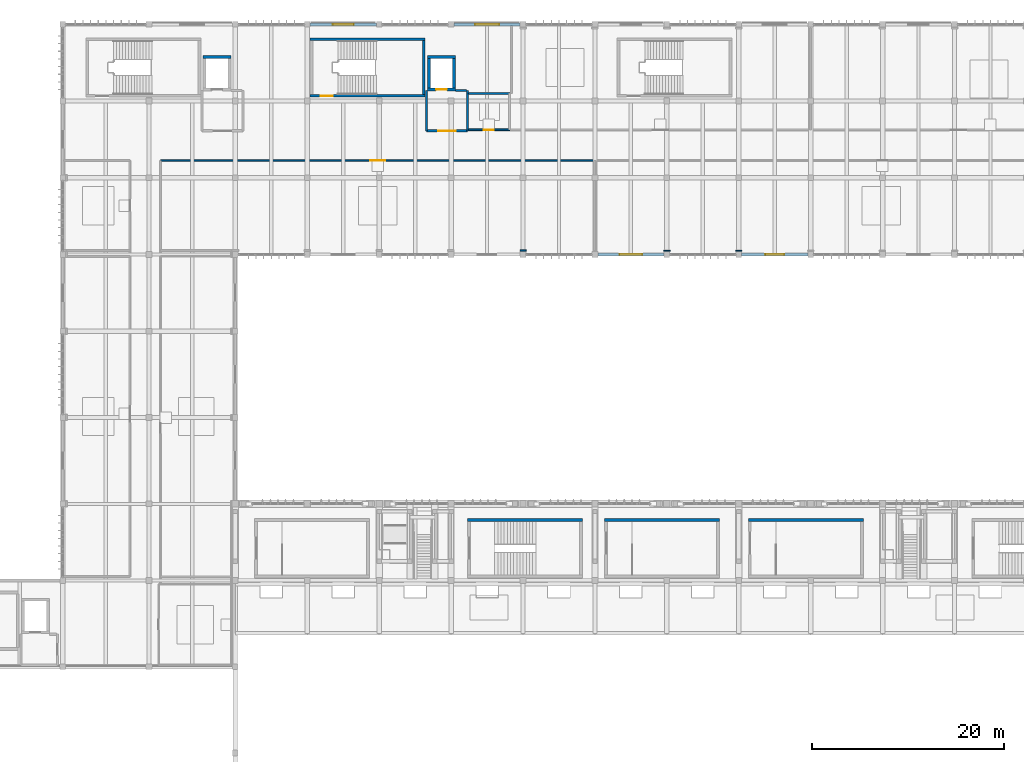
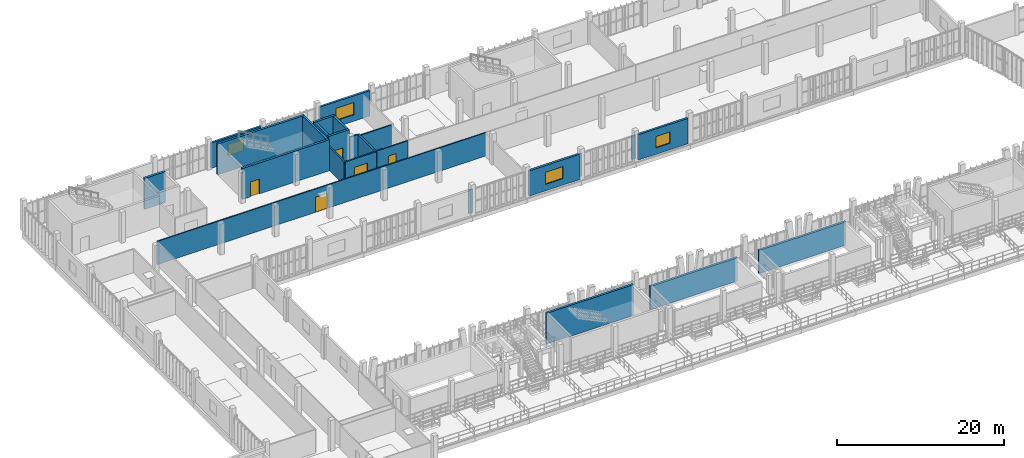
# One storey, part 56 of 81: 25 walls, 5 doors, 4 windows, 9 openings.
"""IFC4 building model written with IfcOpenShell, lengths in metres."""

from ifc_helpers import new_model, si_unit, direction, frame, frame_2d, origin, place, context, subcontext, project, spatial, rectangle, extrude, material, layer, layer_set, type_object, element, fill, save


model = new_model("IFC4")

# Units and contexts
model_context = context("Model", 3, precision=1e-05, world=origin(), true_north=direction((0.0, 1.0)))
body_context = subcontext(model_context, "Body", "Model", "MODEL_VIEW")
ifc_project = project(units=[si_unit("LENGTHUNIT", "METRE"), si_unit("AREAUNIT", "SQUARE_METRE"), si_unit("VOLUMEUNIT", "CUBIC_METRE"), si_unit("PLANEANGLEUNIT", "RADIAN"), si_unit("MASSUNIT", "GRAM", prefix="KILO")], contexts=[model_context])

# Site, building, storey
site_placement = place(None, origin())
site = spatial("IfcSite", under=ifc_project, at=site_placement, CompositionType="ELEMENT")
building_placement = place(site_placement, origin())
building = spatial("IfcBuilding", under=site, at=building_placement, Name="Vourika Railside Aquatics Centre", CompositionType="ELEMENT")
storey_placement = place(building_placement, frame((0.0, 0.0, 4.800048828125)))
storey = spatial("IfcBuildingStorey", under=building, at=storey_placement, Name="L01", CompositionType="ELEMENT", Elevation=4.800048828125)

# Wall, opening, door
ifc_material_1 = material(Name="Concrete C40/50", Category="concrete")
ifc_layer_1 = layer(ifc_material_1, 0.300048828125, Name="WL-CORE")
ifc_layer_set_1 = layer_set([ifc_layer_1], Name="Concrete C40/50")
wall_type_1 = type_object("IfcWallType", Name="WL-CORE", PredefinedType="SHEAR", material=ifc_layer_set_1)
wall_1_placement = place(storey_placement, frame((43.800048828125, 108.550048828125, 0.0), z_axis=(0.0, 0.0, 1.0), x_axis=(1.0, 0.0, 0.0)))
wall_1 = element("IfcWall", 1, at=wall_1_placement, inside=storey, type_object=wall_type_1, Name="Protected Exit Stair Core ST02 South Wall (L01)", PredefinedType="SHEAR", context=body_context, shape_type="SweptSolid", body=[
    extrude(rectangle(XDim=12.0, YDim=0.300048828125, at=frame_2d((6.0, 0.0))), origin(), (0.0, 0.0, 1.0), 4.5),
])
opening_1_placement = place(wall_1_placement, frame((1.10009765625, 0.0, 0.0)))
opening_1 = element("IfcOpeningElement", 2, at=opening_1_placement, cuts=wall_1, Name="Opening DF02", PredefinedType="OPENING", context=body_context, shape_type="SweptSolid", body=[
    extrude(rectangle(XDim=1.25, YDim=2.14990234375, at=frame_2d((0.625, 1.074951171875))), frame((0.0, 0.16015625, 0.0), z_axis=(0.0, -1.0, 0.0), x_axis=(1.0, 0.0, 0.0)), (0.0, 0.0, 1.0), 0.320068359375),
])
ifc_material_2 = material(Name="Fire-rated wide exit stair door")
door_type_1 = type_object("IfcDoorType", Name="DR-FD60-125", OperationType="NOTDEFINED", PredefinedType="DOOR", material=ifc_material_2)
door_1_placement = place(opening_1_placement, origin())
door_1 = element("IfcDoor", 3, at=door_1_placement, inside=storey, type_object=door_type_1, Name="Protected Exit Stair Core ST02 Enclosure Fire Door (L01)", OperationType="SINGLE_SWING_LEFT", OverallHeight=2.14990234375, OverallWidth=1.25, PredefinedType="DOOR", context=body_context, shape_type="SweptSolid", body=[
    extrude(rectangle(XDim=1.25, YDim=2.14990234375, at=frame_2d((0.625, 1.074951171875))), frame((0.0, 0.02490234375, 0.0), z_axis=(0.0, -1.0, 0.0), x_axis=(1.0, 0.0, 0.0)), (0.0, 0.0, 1.0), 0.050048828125),
])
fill(opening_1, door_1)

# Walls
wall_2_placement = place(storey_placement, frame((55.800048828125, 114.449951171875, 0.0), z_axis=(0.0, 0.0, 1.0), x_axis=(-1.0, 0.0, 0.0)))
element("IfcWall", 4, at=wall_2_placement, inside=storey, type_object=wall_type_1, Name="Protected Exit Stair Core ST02 North Wall (L01)", PredefinedType="SHEAR", context=body_context, shape_type="SweptSolid", body=[
    extrude(rectangle(XDim=12.0, YDim=0.300048828125, at=frame_2d((6.0, 0.0))), origin(), (0.0, 0.0, 1.0), 4.5),
])
wall_3_placement = place(storey_placement, frame((55.64990234375, 108.699951171875, 0.0), z_axis=(0.0, 0.0, 1.0), x_axis=(0.0, 1.0, 0.0)))
element("IfcWall", 5, at=wall_3_placement, inside=storey, type_object=wall_type_1, Name="Protected Exit Stair Core ST02 East Wall (L01)", PredefinedType="SHEAR", context=body_context, shape_type="SweptSolid", body=[
    extrude(rectangle(XDim=5.60009765625, YDim=0.300048828125, at=frame_2d((2.800048828125, 0.0))), origin(), (0.0, 0.0, 1.0), 4.5),
])
wall_4_placement = place(storey_placement, frame((72.199951171875, 64.300048828125, 0.0), z_axis=(0.0, 0.0, 1.0), x_axis=(-1.0, 0.0, 0.0)))
element("IfcWall", 6, at=wall_4_placement, inside=storey, type_object=wall_type_1, Name="Grandstand Vomitory Exit Stair ST08 North Wall (L01)", PredefinedType="SHEAR", context=body_context, shape_type="SweptSolid", body=[
    extrude(rectangle(XDim=12.0, YDim=0.300048828125, at=frame_2d((6.0, 0.0))), origin(), (0.0, 0.0, 1.0), 4.5),
])
for number, where, z_axis, x_axis, name in (
    (7, (101.5, 64.300048828125, 0.0), (0.0, 0.0, 1.0), (-1.0, 0.0, 0.0), "Grandstand Vomitory Exit Stair ST09 North Wall (L01)"),
    (8, (86.5, 64.300048828125, 0.0), (0.0, 0.0, 1.0), (-1.0, 0.0, 0.0), "Grandstand Vomitory Exit Stair ST12 North Wall (L01)"),
):
    element("IfcWall", number, at=place(storey_placement, frame(where, z_axis=z_axis, x_axis=x_axis)), inside=storey, type_object=wall_type_1, Name=name, PredefinedType="SHEAR", context=body_context, shape_type="SweptSolid", body=[
        extrude(rectangle(XDim=12.0, YDim=0.300048828125, at=frame_2d((6.0, 0.0))), origin(), (0.0, 0.0, 1.0), 3.39990234375),
    ])
wall_5_placement = place(storey_placement, frame((35.550048828125, 112.60009765625, 0.0), z_axis=(0.0, 0.0, 1.0), x_axis=(-1.0, 0.0, 0.0)))
element("IfcWall", 9, at=wall_5_placement, inside=storey, type_object=wall_type_1, Name="Lift LF01 Shaft North Wall (L01)", PredefinedType="SHEAR", context=body_context, shape_type="SweptSolid", body=[
    extrude(rectangle(XDim=2.900146484375, YDim=0.300048828125, at=frame_2d((1.4501953125, 0.0))), origin(), (0.0, 0.0, 1.0), 4.5),
])

# Wall, opening, door
wall_6_placement = place(storey_placement, frame((56.050048828125, 109.199951171875, 0.0), z_axis=(0.0, 0.0, 1.0), x_axis=(1.0, 0.0, 0.0)))
wall_6 = element("IfcWall", 10, at=wall_6_placement, inside=storey, type_object=wall_type_1, Name="Lift LF02 Shaft South Wall (L01)", PredefinedType="SHEAR", context=body_context, shape_type="SweptSolid", body=[
    extrude(rectangle(XDim=2.89990234375, YDim=0.300048828125, at=frame_2d((1.449951171875, 0.0))), origin(), (0.0, 0.0, 1.0), 4.5),
])
opening_2_placement = place(wall_6_placement, frame((0.89990234375, 0.0, 0.0)))
opening_2 = element("IfcOpeningElement", 11, at=opening_2_placement, cuts=wall_6, Name="Opening LD01", PredefinedType="OPENING", context=body_context, shape_type="SweptSolid", body=[
    extrude(rectangle(XDim=1.10009765625, YDim=2.14990234375, at=frame_2d((0.550048828125, 1.074951171875))), frame((0.0, 0.16015625, 0.0), z_axis=(0.0, -1.0, 0.0), x_axis=(1.0, 0.0, 0.0)), (0.0, 0.0, 1.0), 0.320068359375),
])
ifc_material_3 = material(Name="Stainless firefighting lift landing door")
door_type_2 = type_object("IfcDoorType", Name="DR-LIFT-LD1", OperationType="DOUBLE_DOOR_SLIDING", PredefinedType="DOOR", material=ifc_material_3)
door_2_placement = place(opening_2_placement, origin())
door_2 = element("IfcDoor", 12, at=door_2_placement, inside=storey, type_object=door_type_2, Name="Lift LF02 Sliding Landing Door (L01)", OperationType="DOUBLE_DOOR_SLIDING", OverallHeight=2.14990234375, OverallWidth=1.10009765625, PredefinedType="DOOR", context=body_context, shape_type="SweptSolid", body=[
    extrude(rectangle(XDim=1.10009765625, YDim=2.14990234375, at=frame_2d((0.550048828125, 1.074951171875))), frame((0.0, 0.02490234375, 0.0), z_axis=(0.0, -1.0, 0.0), x_axis=(1.0, 0.0, 0.0)), (0.0, 0.0, 1.0), 0.050048828125),
])
fill(opening_2, door_2)

# Walls
wall_7_placement = place(storey_placement, frame((58.949951171875, 112.60009765625, 0.0), z_axis=(0.0, 0.0, 1.0), x_axis=(-1.0, 0.0, 0.0)))
element("IfcWall", 13, at=wall_7_placement, inside=storey, type_object=wall_type_1, Name="Lift LF02 Shaft North Wall (L01)", PredefinedType="SHEAR", context=body_context, shape_type="SweptSolid", body=[
    extrude(rectangle(XDim=2.89990234375, YDim=0.300048828125, at=frame_2d((1.449951171875, 0.0))), origin(), (0.0, 0.0, 1.0), 4.5),
])
for number, where, z_axis, x_axis, name in (
    (14, (56.199951171875, 112.60009765625, 0.0), (0.0, 0.0, 1.0), (0.0, -1.0, 0.0), "Lift LF02 Shaft West Wall (L01)"),
    (15, (58.800048828125, 109.199951171875, 0.0), (0.0, 0.0, 1.0), (0.0, 1.0, 0.0), "Lift LF02 Shaft East Wall (L01)"),
):
    element("IfcWall", number, at=place(storey_placement, frame(where, z_axis=z_axis, x_axis=x_axis)), inside=storey, type_object=wall_type_1, Name=name, PredefinedType="SHEAR", context=body_context, shape_type="SweptSolid", body=[
        extrude(rectangle(XDim=3.400146484375, YDim=0.300048828125, at=frame_2d((1.7001953125, 0.0))), origin(), (0.0, 0.0, 1.0), 4.5),
    ])

# Wall, opening, window
ifc_material_4 = material(Name="Precast concrete C40/50", Category="concrete")
ifc_layer_2 = layer(ifc_material_4, 0.2900390625, Name="WL-EXT-290")
ifc_layer_set_2 = layer_set([ifc_layer_2], Name="Precast concrete C40/50")
wall_type_2 = type_object("IfcWallType", Name="WL-EXT-290", PredefinedType="SOLIDWALL", material=ifc_layer_set_2)
wall_8_placement = place(storey_placement, frame((50.699951171875, 116.0, 0.0), z_axis=(0.0, 0.0, 1.0), x_axis=(-1.0, 0.0, 0.0)))
wall_8 = element("IfcWall", 16, at=wall_8_placement, inside=storey, type_object=wall_type_2, Name="North Boulevard Precast Bay L01-4", PredefinedType="SOLIDWALL", context=body_context, shape_type="SweptSolid", body=[
    extrude(rectangle(XDim=6.89990234375, YDim=0.2900390625, at=frame_2d((3.449951171875, 0.0))), origin(), (0.0, 0.0, 1.0), 3.699951171875),
])
opening_3_placement = place(wall_8_placement, frame((2.375, 0.0, 0.949951171875)))
opening_3 = element("IfcOpeningElement", 17, at=opening_3_placement, cuts=wall_8, Name="Opening W04", PredefinedType="OPENING", context=body_context, shape_type="SweptSolid", body=[
    extrude(rectangle(XDim=2.14990234375, YDim=1.699951171875, at=frame_2d((1.074951171875, 0.85009765625))), frame((0.0, 0.155029296875, 0.0), z_axis=(0.0, -1.0, 0.0), x_axis=(1.0, 0.0, 0.0)), (0.0, 0.0, 1.0), 0.31005859375),
])
ifc_material_5 = material(Name="Laminated solar-control glass", Category="glass")
window_type_1 = type_object("IfcWindowType", Name="WN-FIT-215x170", PartitioningType="DOUBLE_PANEL_VERTICAL", PredefinedType="WINDOW", material=ifc_material_5)
window_1_placement = place(opening_3_placement, origin())
window_1 = element("IfcWindow", 18, at=window_1_placement, inside=storey, type_object=window_type_1, Name="North Boulevard Studio Window L01-4", OverallHeight=1.699951171875, OverallWidth=2.14990234375, PartitioningType="SINGLE_PANEL", PredefinedType="WINDOW", context=body_context, shape_type="SweptSolid", body=[
    extrude(rectangle(XDim=2.14990234375, YDim=1.699951171875, at=frame_2d((1.074951171875, 0.85009765625))), frame((0.0, 0.030029296875, 0.0), z_axis=(0.0, -1.0, 0.0), x_axis=(1.0, 0.0, 0.0)), (0.0, 0.0, 1.0), 0.06005859375),
])
fill(opening_3, window_1)

wall_9_placement = place(storey_placement, frame((65.699951171875, 116.0, 0.0), z_axis=(0.0, 0.0, 1.0), x_axis=(-1.0, 0.0, 0.0)))
wall_9 = element("IfcWall", 19, at=wall_9_placement, inside=storey, type_object=wall_type_2, Name="North Boulevard Precast Bay L01-6", PredefinedType="SOLIDWALL", context=body_context, shape_type="SweptSolid", body=[
    extrude(rectangle(XDim=6.89990234375, YDim=0.2900390625, at=frame_2d((3.449951171875, 0.0))), origin(), (0.0, 0.0, 1.0), 3.699951171875),
])
opening_4_placement = place(wall_9_placement, frame((2.199951171875, 0.0, 0.949951171875)))
opening_4 = element("IfcOpeningElement", 20, at=opening_4_placement, cuts=wall_9, Name="Opening W02", PredefinedType="OPENING", context=body_context, shape_type="SweptSolid", body=[
    extrude(rectangle(XDim=2.5, YDim=1.800048828125, at=frame_2d((1.25, 0.89990234375))), frame((0.0, 0.155029296875, 0.0), z_axis=(0.0, -1.0, 0.0), x_axis=(1.0, 0.0, 0.0)), (0.0, 0.0, 1.0), 0.31005859375),
])
window_type_2 = type_object("IfcWindowType", Name="WN-FIT-250x180", PartitioningType="DOUBLE_PANEL_VERTICAL", PredefinedType="WINDOW", material=ifc_material_5)
window_2_placement = place(opening_4_placement, origin())
window_2 = element("IfcWindow", 21, at=window_2_placement, inside=storey, type_object=window_type_2, Name="North Boulevard Studio Window L01-6", OverallHeight=1.800048828125, OverallWidth=2.5, PartitioningType="SINGLE_PANEL", PredefinedType="WINDOW", context=body_context, shape_type="SweptSolid", body=[
    extrude(rectangle(XDim=2.5, YDim=1.800048828125, at=frame_2d((1.25, 0.89990234375))), frame((0.0, 0.030029296875, 0.0), z_axis=(0.0, -1.0, 0.0), x_axis=(1.0, 0.0, 0.0)), (0.0, 0.0, 1.0), 0.06005859375),
])
fill(opening_4, window_2)

wall_10_placement = place(storey_placement, frame((73.800048828125, 92.0, 0.0), z_axis=(0.0, 0.0, 1.0), x_axis=(1.0, 0.0, 0.0)))
wall_10 = element("IfcWall", 22, at=wall_10_placement, inside=storey, type_object=wall_type_2, Name="Courtyard Precast Wall L01-6", PredefinedType="SOLIDWALL", context=body_context, shape_type="SweptSolid", body=[
    extrude(rectangle(XDim=6.89990234375, YDim=0.2900390625, at=frame_2d((3.449951171875, 0.0))), origin(), (0.0, 0.0, 1.0), 3.699951171875),
])
opening_5_placement = place(wall_10_placement, frame((2.27490234375, 0.0, 0.949951171875)))
opening_5 = element("IfcOpeningElement", 23, at=opening_5_placement, cuts=wall_10, Name="Opening W03", PredefinedType="OPENING", context=body_context, shape_type="SweptSolid", body=[
    extrude(rectangle(XDim=2.35009765625, YDim=1.75, at=frame_2d((1.175048828125, 0.875))), frame((0.0, 0.155029296875, 0.0), z_axis=(0.0, -1.0, 0.0), x_axis=(1.0, 0.0, 0.0)), (0.0, 0.0, 1.0), 0.31005859375),
])
window_type_3 = type_object("IfcWindowType", Name="WN-FIT-235x175", PartitioningType="DOUBLE_PANEL_VERTICAL", PredefinedType="WINDOW", material=ifc_material_5)
window_3_placement = place(opening_5_placement, origin())
window_3 = element("IfcWindow", 24, at=window_3_placement, inside=storey, type_object=window_type_3, Name="Courtyard Fitness Window L01-6", OverallHeight=1.75, OverallWidth=2.35009765625, PartitioningType="SINGLE_PANEL", PredefinedType="WINDOW", context=body_context, shape_type="SweptSolid", body=[
    extrude(rectangle(XDim=2.35009765625, YDim=1.75, at=frame_2d((1.175048828125, 0.875))), frame((0.0, 0.030029296875, 0.0), z_axis=(0.0, -1.0, 0.0), x_axis=(1.0, 0.0, 0.0)), (0.0, 0.0, 1.0), 0.06005859375),
])
fill(opening_5, window_3)

wall_11_placement = place(storey_placement, frame((88.800048828125, 92.0, 0.0), z_axis=(0.0, 0.0, 1.0), x_axis=(1.0, 0.0, 0.0)))
wall_11 = element("IfcWall", 25, at=wall_11_placement, inside=storey, type_object=wall_type_2, Name="Courtyard Precast Wall L01-8", PredefinedType="SOLIDWALL", context=body_context, shape_type="SweptSolid", body=[
    extrude(rectangle(XDim=6.89990234375, YDim=0.2900390625, at=frame_2d((3.449951171875, 0.0))), origin(), (0.0, 0.0, 1.0), 3.699951171875),
])
opening_6_placement = place(wall_11_placement, frame((2.47509765625, 0.0, 0.949951171875)))
opening_6 = element("IfcOpeningElement", 26, at=opening_6_placement, cuts=wall_11, Name="Opening W05", PredefinedType="OPENING", context=body_context, shape_type="SweptSolid", body=[
    extrude(rectangle(XDim=1.949951171875, YDim=1.64990234375, at=frame_2d((0.97509765625, 0.824951171875))), frame((0.0, 0.155029296875, 0.0), z_axis=(0.0, -1.0, 0.0), x_axis=(1.0, 0.0, 0.0)), (0.0, 0.0, 1.0), 0.31005859375),
])
window_type_4 = type_object("IfcWindowType", Name="WN-FIT-195x165", PartitioningType="DOUBLE_PANEL_VERTICAL", PredefinedType="WINDOW", material=ifc_material_5)
window_4_placement = place(opening_6_placement, origin())
window_4 = element("IfcWindow", 27, at=window_4_placement, inside=storey, type_object=window_type_4, Name="Courtyard Fitness Window L01-8", OverallHeight=1.64990234375, OverallWidth=1.949951171875, PartitioningType="SINGLE_PANEL", PredefinedType="WINDOW", context=body_context, shape_type="SweptSolid", body=[
    extrude(rectangle(XDim=1.949951171875, YDim=1.64990234375, at=frame_2d((0.97509765625, 0.824951171875))), frame((0.0, 0.030029296875, 0.0), z_axis=(0.0, -1.0, 0.0), x_axis=(1.0, 0.0, 0.0)), (0.0, 0.0, 1.0), 0.06005859375),
])
fill(opening_6, window_4)

# Wall, opening, door
ifc_material_6 = material(Name="Concrete C35/45", Category="concrete")
ifc_layer_3 = layer(ifc_material_6, 0.219970703125, Name="WL-FIRE")
ifc_layer_set_3 = layer_set([ifc_layer_3], Name="Concrete C35/45")
wall_type_3 = type_object("IfcWallType", Name="WL-FIRE", PredefinedType="SOLIDWALL", material=ifc_layer_set_3)
wall_12_placement = place(storey_placement, frame((55.919921875, 104.89990234375, 0.0), z_axis=(0.0, 0.0, 1.0), x_axis=(1.0, 0.0, 0.0)))
wall_12 = element("IfcWall", 28, at=wall_12_placement, inside=storey, type_object=wall_type_3, Name="Lift LF02 Lobby Corridor Fire Wall (L01)", PredefinedType="SOLIDWALL", context=body_context, shape_type="SweptSolid", body=[
    extrude(rectangle(XDim=4.280029296875, YDim=0.219970703125, at=frame_2d((2.14013671875, 0.0))), origin(), (0.0, 0.0, 1.0), 3.39990234375),
])
opening_7_placement = place(wall_12_placement, frame((1.239990234375, 0.0, 0.0)))
opening_7 = element("IfcOpeningElement", 29, at=opening_7_placement, cuts=wall_12, Name="Opening DF03", PredefinedType="OPENING", context=body_context, shape_type="SweptSolid", body=[
    extrude(rectangle(XDim=1.800048828125, YDim=2.199951171875, at=frame_2d((0.89990234375, 1.10009765625))), frame((0.0, 0.1201171875, 0.0), z_axis=(0.0, -1.0, 0.0), x_axis=(1.0, 0.0, 0.0)), (0.0, 0.0, 1.0), 0.239990234375),
])
ifc_material_7 = material(Name="Fire-rated double lobby door")
door_type_3 = type_object("IfcDoorType", Name="DR-FD60D", OperationType="DOUBLE_DOOR_SINGLE_SWING", PredefinedType="DOOR", material=ifc_material_7)
door_3_placement = place(opening_7_placement, origin())
door_3 = element("IfcDoor", 30, at=door_3_placement, inside=storey, type_object=door_type_3, Name="Lift LF02 Lobby Fire Door (L01)", OperationType="DOUBLE_DOOR_SINGLE_SWING", OverallHeight=2.199951171875, OverallWidth=1.800048828125, PredefinedType="DOOR", context=body_context, shape_type="SweptSolid", body=[
    extrude(rectangle(XDim=1.800048828125, YDim=2.199951171875, at=frame_2d((0.89990234375, 1.10009765625))), frame((0.0, 0.02490234375, 0.0), z_axis=(0.0, -1.0, 0.0), x_axis=(1.0, 0.0, 0.0)), (0.0, 0.0, 1.0), 0.050048828125),
])
fill(opening_7, door_3)

# Walls
for number, where, z_axis, x_axis, name in (
    (31, (55.919921875, 104.89990234375, 0.0), (0.0, 0.0, 1.0), (0.0, 1.0, 0.0), "Lift LF02 Lobby West Fire Wall (L01)"),
    (32, (60.199951171875, 104.89990234375, 0.0), (0.0, 0.0, 1.0), (0.0, 1.0, 0.0), "Lift LF02 Lobby East Fire Wall (L01)"),
):
    element("IfcWall", number, at=place(storey_placement, frame(where, z_axis=z_axis, x_axis=x_axis)), inside=storey, type_object=wall_type_3, Name=name, PredefinedType="SOLIDWALL", context=body_context, shape_type="SweptSolid", body=[
        extrude(rectangle(XDim=4.2001953125, YDim=0.219970703125, at=frame_2d((2.10009765625, 0.0))), origin(), (0.0, 0.0, 1.0), 3.39990234375),
    ])
wall_13_placement = place(storey_placement, frame((58.949951171875, 109.10009765625, 0.0), z_axis=(0.0, 0.0, 1.0), x_axis=(1.0, 0.0, 0.0)))
element("IfcWall", 33, at=wall_13_placement, inside=storey, type_object=wall_type_3, Name="Lift LF02 Lobby North-East Closure Wall (L01)", PredefinedType="SOLIDWALL", context=body_context, shape_type="SweptSolid", body=[
    extrude(rectangle(XDim=1.130126953125, YDim=0.219970703125, at=frame_2d((0.56494140625, 0.0))), origin(), (0.0, 0.0, 1.0), 3.39990234375),
])
ifc_material_8 = material(Name="Lightweight drylining partition")
ifc_layer_4 = layer(ifc_material_8, 0.1201171875, Name="WL-PART-120")
ifc_layer_set_4 = layer_set([ifc_layer_4], Name="Lightweight drylining partition")
wall_type_4 = type_object("IfcWallType", Name="WL-PART-120", PredefinedType="PARTITIONING", material=ifc_layer_set_4)
for number, where, z_axis, x_axis, name in (
    (34, (88.800048828125, 92.39990234375, 0.0), (0.0, 0.0, 1.0), (-1.0, 0.0, 0.0), "Cardio Fitness Hall Partition 9"),
    (35, (81.330078125, 92.39990234375, 0.0), (0.0, 0.0, 1.0), (-1.0, 0.0, 0.0), "Cardio Fitness Hall Partition 10"),
):
    element("IfcWall", number, at=place(storey_placement, frame(where, z_axis=z_axis, x_axis=x_axis)), inside=storey, type_object=wall_type_4, Name=name, PredefinedType="PARTITIONING", context=body_context, shape_type="SweptSolid", body=[
        extrude(rectangle(XDim=0.630126953125, YDim=0.1201171875, at=frame_2d((0.31494140625, 0.0))), origin(), (0.0, 0.0, 1.0), 3.39990234375),
    ])

# Wall, opening, door
ifc_material_9 = material(Name="Acoustic twin-stud partition")
ifc_layer_5 = layer(ifc_material_9, 0.159912109375, Name="WL-PART-160")
ifc_layer_set_5 = layer_set([ifc_layer_5], Name="Acoustic twin-stud partition")
wall_type_5 = type_object("IfcWallType", Name="WL-PART-160", PredefinedType="PARTITIONING", material=ifc_layer_set_5)
wall_14_placement = place(storey_placement, frame((28.199951171875, 101.800048828125, 0.0), z_axis=(0.0, 0.0, 1.0), x_axis=(1.0, 0.0, 0.0)))
wall_14 = element("IfcWall", 36, at=wall_14_placement, inside=storey, type_object=wall_type_5, Name="Strength and Free-Weights Gym Hall Partition 1", PredefinedType="PARTITIONING", context=body_context, shape_type="SweptSolid", body=[
    extrude(rectangle(XDim=45.300048828125, YDim=0.159912109375, at=frame_2d((22.64990234375, 0.0))), origin(), (0.0, 0.0, 1.0), 3.39990234375),
])
opening_8_placement = place(wall_14_placement, frame((21.85009765625, 0.0, 0.0)))
opening_8 = element("IfcOpeningElement", 37, at=opening_8_placement, cuts=wall_14, Name="Opening DI04", PredefinedType="OPENING", context=body_context, shape_type="SweptSolid", body=[
    extrude(rectangle(XDim=1.60009765625, YDim=2.199951171875, at=frame_2d((0.800048828125, 1.10009765625))), frame((0.0, 0.08984375, 0.0), z_axis=(0.0, -1.0, 0.0), x_axis=(1.0, 0.0, 0.0)), (0.0, 0.0, 1.0), 0.179931640625),
])
ifc_material_10 = material(Name="Double studio entrance door")
door_type_4 = type_object("IfcDoorType", Name="DR-INT-1600D", OperationType="DOUBLE_DOOR_SINGLE_SWING", PredefinedType="DOOR", material=ifc_material_10)
door_4_placement = place(opening_8_placement, origin())
door_4 = element("IfcDoor", 38, at=door_4_placement, inside=storey, type_object=door_type_4, Name="Strength and Free-Weights Gym Hall Door", OperationType="DOUBLE_DOOR_SINGLE_SWING", OverallHeight=2.199951171875, OverallWidth=1.60009765625, PredefinedType="DOOR", context=body_context, shape_type="SweptSolid", body=[
    extrude(rectangle(XDim=1.60009765625, YDim=2.199951171875, at=frame_2d((0.800048828125, 1.10009765625))), frame((0.0, 0.02490234375, 0.0), z_axis=(0.0, -1.0, 0.0), x_axis=(1.0, 0.0, 0.0)), (0.0, 0.0, 1.0), 0.050048828125),
])
fill(opening_8, door_4)

# Wall
wall_15_placement = place(storey_placement, frame((66.330078125, 92.39990234375, 0.0), z_axis=(0.0, 0.0, 1.0), x_axis=(-1.0, 0.0, 0.0)))
element("IfcWall", 39, at=wall_15_placement, inside=storey, type_object=wall_type_5, Name="Strength and Free-Weights Gym Hall Partition 5", PredefinedType="PARTITIONING", context=body_context, shape_type="SweptSolid", body=[
    extrude(rectangle(XDim=0.630126953125, YDim=0.159912109375, at=frame_2d((0.31494140625, 0.0))), origin(), (0.0, 0.0, 1.0), 3.39990234375),
])

# Wall, opening, door
ifc_material_11 = material(Name="Moisture-resistant wet-village blockwork", Category="masonry")
ifc_layer_6 = layer(ifc_material_11, 0.179931640625, Name="WL-PART-180")
ifc_layer_set_6 = layer_set([ifc_layer_6], Name="Moisture-resistant wet-village blockwork")
wall_type_6 = type_object("IfcWallType", Name="WL-PART-180", PredefinedType="PARTITIONING", material=ifc_layer_set_6)
wall_16_placement = place(storey_placement, frame((64.60009765625, 105.0, 0.0), z_axis=(0.0, 0.0, 1.0), x_axis=(-1.0, 0.0, 0.0)))
wall_16 = element("IfcWall", 40, at=wall_16_placement, inside=storey, type_object=wall_type_6, Name="Spectator Accessible WC Partition 1", PredefinedType="PARTITIONING", context=body_context, shape_type="SweptSolid", body=[
    extrude(rectangle(XDim=4.31005859375, YDim=0.179931640625, at=frame_2d((2.155029296875, 0.0))), origin(), (0.0, 0.0, 1.0), 3.39990234375),
])
opening_9_placement = place(wall_16_placement, frame((1.6298828125, 0.0, 0.0)))
opening_9 = element("IfcOpeningElement", 41, at=opening_9_placement, cuts=wall_16, Name="Opening DW02", PredefinedType="OPENING", context=body_context, shape_type="SweptSolid", body=[
    extrude(rectangle(XDim=1.050048828125, YDim=2.10009765625, at=frame_2d((0.52490234375, 1.050048828125))), frame((0.0, 0.10009765625, 0.0), z_axis=(0.0, -1.0, 0.0), x_axis=(1.0, 0.0, 0.0)), (0.0, 0.0, 1.0), 0.199951171875),
])
ifc_material_12 = material(Name="Accessible WC outward-assist door")
door_type_5 = type_object("IfcDoorType", Name="DR-WCA-1050", OperationType="NOTDEFINED", PredefinedType="DOOR", material=ifc_material_12)
door_5_placement = place(opening_9_placement, origin())
door_5 = element("IfcDoor", 42, at=door_5_placement, inside=storey, type_object=door_type_5, Name="Spectator Accessible WC Door", OperationType="SINGLE_SWING_LEFT", OverallHeight=2.10009765625, OverallWidth=1.050048828125, PredefinedType="DOOR", context=body_context, shape_type="SweptSolid", body=[
    extrude(rectangle(XDim=1.050048828125, YDim=2.10009765625, at=frame_2d((0.52490234375, 1.050048828125))), frame((0.0, 0.02490234375, 0.0), z_axis=(0.0, -1.0, 0.0), x_axis=(1.0, 0.0, 0.0)), (0.0, 0.0, 1.0), 0.050048828125),
])
fill(opening_9, door_5)

# Wall
wall_17_placement = place(storey_placement, frame((60.2900390625, 108.800048828125, 0.0), z_axis=(0.0, 0.0, 1.0), x_axis=(1.0, 0.0, 0.0)))
element("IfcWall", 43, at=wall_17_placement, inside=storey, type_object=wall_type_6, Name="Spectator Accessible WC Partition 3", PredefinedType="PARTITIONING", context=body_context, shape_type="SweptSolid", body=[
    extrude(rectangle(XDim=4.31005859375, YDim=0.179931640625, at=frame_2d((2.155029296875, 0.0))), origin(), (0.0, 0.0, 1.0), 3.39990234375),
])

save(model, "model.ifc")
